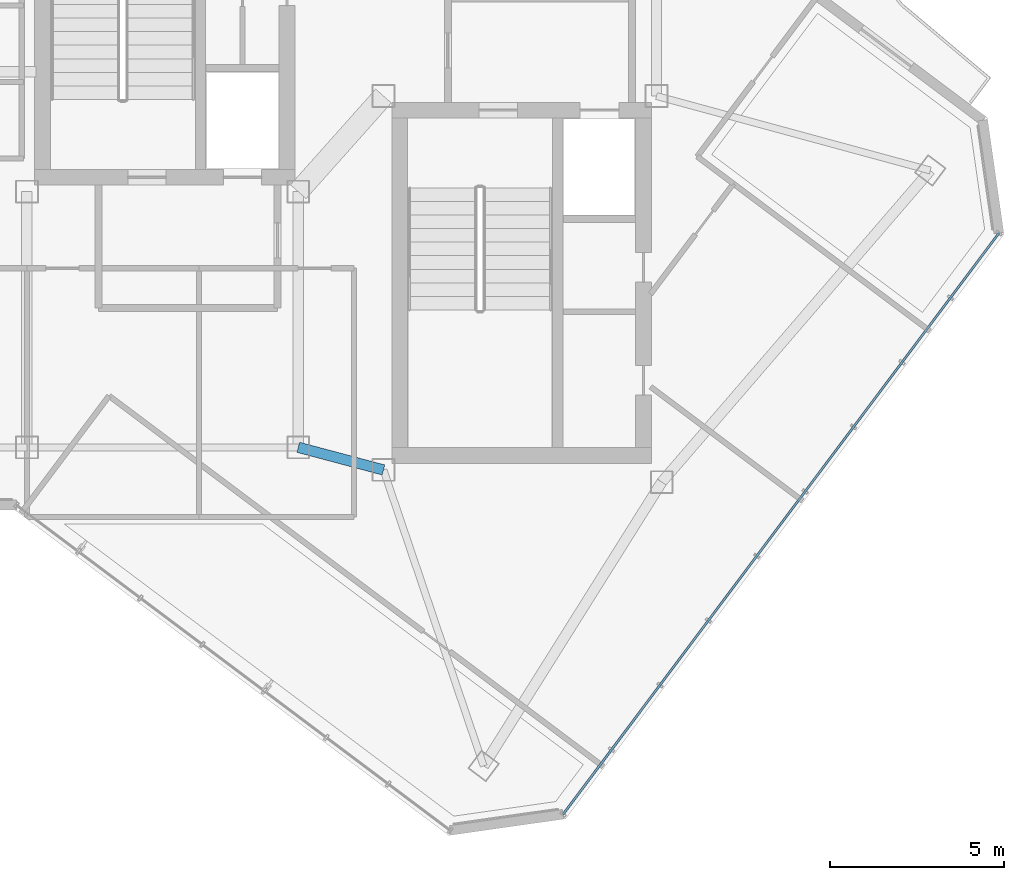
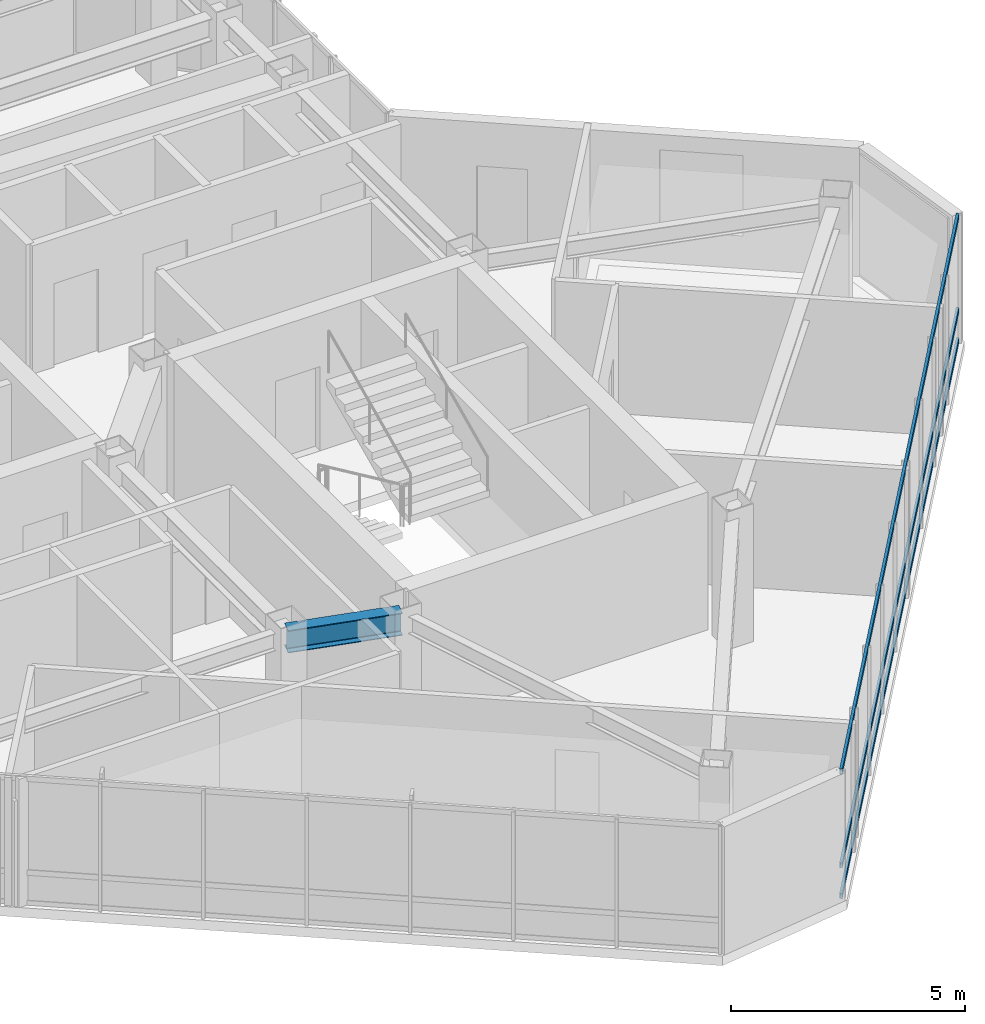
# One storey, part 6 of 22: 3 members, 1 beam, 1 element without a shape of its own.
"""IFC4 building model written with IfcOpenShell, lengths in metres."""

from ifc_helpers import new_model, si_unit, direction, frame, origin, origin_2d, place, context, subcontext, project, spatial, hollow_rectangle, i_section, extrude, material, layer, layer_set, material_profile, profile_set, type_object, element, aggregate, save


model = new_model("IFC4")

# Units and contexts
model_context = context("Model", 3, precision=1e-05, world=origin(), true_north=direction((0.0, 1.0)))
body_context = subcontext(model_context, "Body", "Model", "MODEL_VIEW")
ifc_project = project(units=[si_unit("LENGTHUNIT", "METRE"), si_unit("AREAUNIT", "SQUARE_METRE"), si_unit("VOLUMEUNIT", "CUBIC_METRE"), si_unit("PLANEANGLEUNIT", "RADIAN"), si_unit("MASSUNIT", "GRAM", prefix="KILO")], contexts=[model_context])

# Site, building, storey
site_placement = place(None, origin())
site = spatial("IfcSite", under=ifc_project, at=site_placement, CompositionType="ELEMENT")
building_placement = place(site_placement, origin())
building = spatial("IfcBuilding", under=site, at=building_placement, Name="Hatsunagi Terrace Concourse", CompositionType="ELEMENT")
storey_placement = place(building_placement, frame((0.0, 0.0, 243.14990234375)))
storey = spatial("IfcBuildingStorey", under=building, at=storey_placement, Name="L64", CompositionType="ELEMENT", Elevation=243.14990234375)

# Curtain wall, members
ifc_material_1 = material(Name="Anodised Aluminium Alloy 6063-T5", Category="aluminium")
ifc_layer = layer(ifc_material_1, 0.199951171875)
ifc_layer_set = layer_set([ifc_layer], Name="OfficeZone2_CW04")
curtain_wall_type = type_object("IfcCurtainWallType", Name="OfficeZone2_CW04", PredefinedType="NOTDEFINED", material=ifc_layer_set)
curtain_wall_placement = place(storey_placement, origin())
curtain_wall = element("IfcCurtainWall", 1, at=curtain_wall_placement, inside=storey, type_object=curtain_wall_type, Name="Unitised Curtain Wall CW-04 CW-L64-03", PredefinedType="NOTDEFINED")
ifc_material_2 = material(Name="Anodised Aluminium Alloy 6063-T5", Category="aluminium")
ifc_material_profile_1 = material_profile(ifc_material_2, hollow_rectangle(XDim=0.06494140625, YDim=0.139892578125, WallThickness=0.00390625, at=origin_2d()), Name="ALU-TRN-140x65x4")
ifc_profile_set_1 = profile_set([ifc_material_profile_1], Name="Anodised Aluminium Alloy 6063-T5")
member_type = type_object("IfcMemberType", Name="CurtainWallTransom_140x65", PredefinedType="USERDEFINED", material=ifc_profile_set_1)
member_1_placement = place(storey_placement, frame((53.492919921875, 31.35791015625, 0.050048828125), z_axis=(-0.599970072971, -0.800022444397, 0.0), x_axis=(0.800022444397, -0.599970072971, 0.0)))
member_1 = element("IfcMember", 2, at=member_1_placement, type_object=member_type, Name="Curtain Wall Transom TRN-02", ObjectType="TRANSOM", PredefinedType="USERDEFINED", context=body_context, shape_type="SweptSolid", body=[
    extrude(hollow_rectangle(XDim=0.06494140625, YDim=0.139892578125, WallThickness=0.00390625, at=origin_2d()), origin(), (0.0, 0.0, 1.0), 20.884521484375),
])
member_2_placement = place(storey_placement, frame((53.492919921875, 31.35791015625, 0.85009765625), z_axis=(-0.599970072971, -0.800022444397, 0.0), x_axis=(0.800022444397, -0.599970072971, 0.0)))
member_2 = element("IfcMember", 3, at=member_2_placement, type_object=member_type, Name="Curtain Wall Transom TRN-02", ObjectType="TRANSOM", PredefinedType="USERDEFINED", context=body_context, shape_type="SweptSolid", body=[
    extrude(hollow_rectangle(XDim=0.06494140625, YDim=0.139892578125, WallThickness=0.00390625, at=origin_2d()), origin(), (0.0, 0.0, 1.0), 20.884521484375),
])
member_3_placement = place(storey_placement, frame((53.492919921875, 31.35791015625, 3.300048828125), z_axis=(-0.599970072971, -0.800022444397, 0.0), x_axis=(0.800022444397, -0.599970072971, 0.0)))
member_3 = element("IfcMember", 4, at=member_3_placement, type_object=member_type, Name="Curtain Wall Transom TRN-02", ObjectType="TRANSOM", PredefinedType="USERDEFINED", context=body_context, shape_type="SweptSolid", body=[
    extrude(hollow_rectangle(XDim=0.06494140625, YDim=0.139892578125, WallThickness=0.00390625, at=origin_2d()), origin(), (0.0, 0.0, 1.0), 20.884521484375),
])
aggregate(curtain_wall, [member_1, member_2, member_3])

# Beam
ifc_material_3 = material(Name="Steel SN490B", Category="steel")
ifc_material_profile_2 = material_profile(ifc_material_3, i_section(OverallWidth=0.300048828125, OverallDepth=0.587890625, WebThickness=0.011962890625, FlangeThickness=0.02001953125, FilletRadius=0.01806640625, at=origin_2d()), Name="H-588x300x12x20")
ifc_profile_set_2 = profile_set([ifc_material_profile_2], Name="Steel SN490B")
beam_type = type_object("IfcBeamType", Name="OfficeHighGirder_H_588x300", PredefinedType="BEAM", material=ifc_profile_set_2)
beam_placement = place(storey_placement, frame((33.35009765625, 25.199951171875, 3.05615234375), z_axis=(0.966569840116, -0.256403479262, 0.0), x_axis=(0.256403479262, 0.966569840116, 0.0)))
element("IfcBeam", 5, at=beam_placement, inside=storey, type_object=beam_type, Name="Beam G-06 BM-L64-K2CB", PredefinedType="BEAM", context=body_context, shape_type="SweptSolid", body=[
    extrude(i_section(OverallWidth=0.300048828125, OverallDepth=0.587890625, WebThickness=0.011962890625, FlangeThickness=0.02001953125, FilletRadius=0.01806640625, at=origin_2d()), origin(), (0.0, 0.0, 1.0), 2.53466796875),
])

save(model, "model.ifc")
